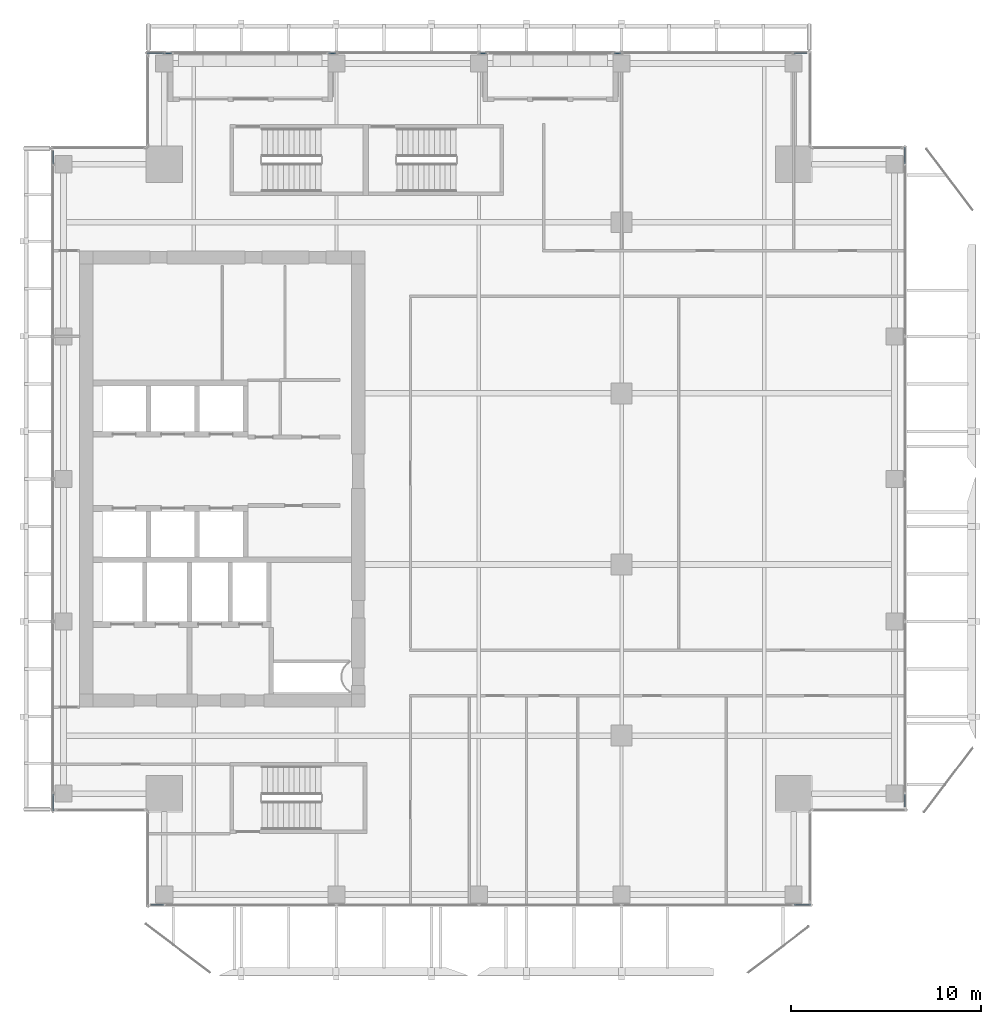
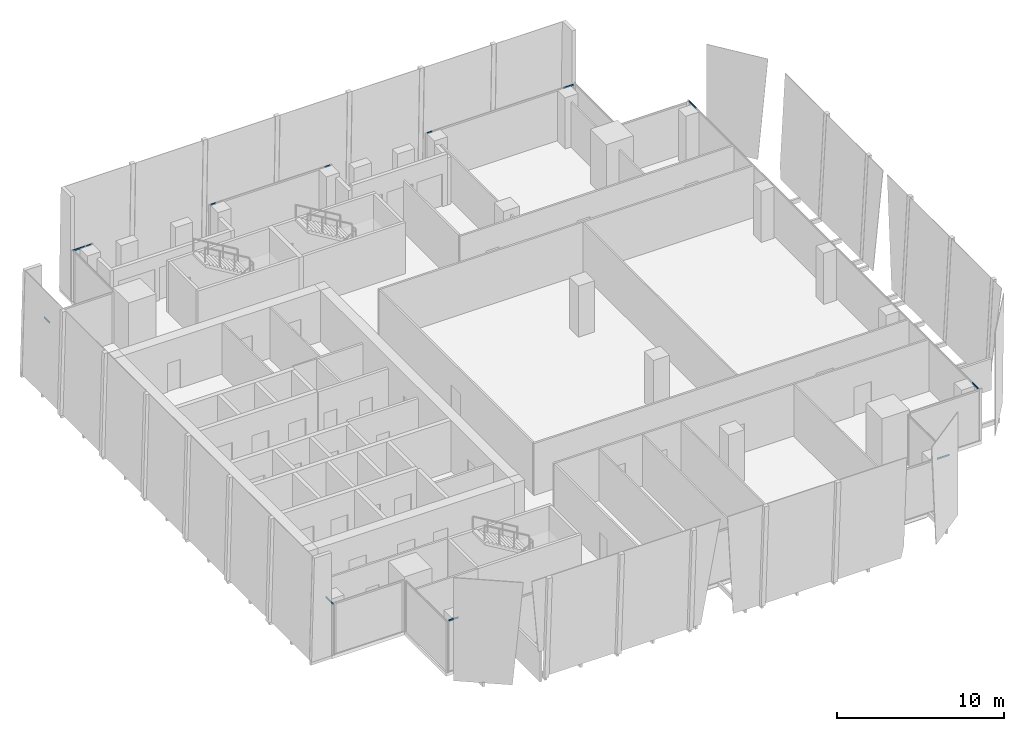
# One storey, part 22 of 35: 12 members, 6 elements without a shape of their own.
"""IFC4 building model written with IfcOpenShell, lengths in metres."""

import ifcopenshell
import ifcopenshell.guid

model = None  # the IFC model being written
_history = None  # IfcOwnerHistory: only IFC2X3 demands one
_inside = {}  # id of a spatial element -> (the spatial element, [elements in it])
_under = {}  # id of a project, library or spatial element -> (it, [spatial elements below it])
_declared = {}  # id of a project -> (the project, [libraries it declares])
_typed = {}  # id of a type object -> (the type object, [elements of that type])
_made_of = {}  # id of a material, layer set ... -> (it, [elements and type objects made of it])


def new_model(schema):
    """Start an empty IFC model of exactly this schema.

    Asked for "IFC4X3", IfcOpenShell would pick the latest addendum, in which some entities
    have other attributes; the version numbers below select the first issue.
    IFC2X3 requires an IfcOwnerHistory on every rooted entity: one is made here for all.
    """
    global model, _history
    if schema == "IFC4X3":
        model = ifcopenshell.file(schema_version=(4, 3, 0, 0))
    else:
        model = ifcopenshell.file(schema=schema)
    _inside.clear()
    _under.clear()
    _declared.clear()
    _typed.clear()
    _made_of.clear()
    _history = None
    if model.schema == "IFC2X3":
        org = make("IfcOrganization", Name="unknown")
        user = make(
            "IfcPersonAndOrganization",
            ThePerson=make("IfcPerson", FamilyName="unknown"),
            TheOrganization=org,
        )
        app = make(
            "IfcApplication",
            ApplicationDeveloper=org,
            Version="unknown",
            ApplicationFullName="unknown",
            ApplicationIdentifier="unknown",
        )
        _history = make(
            "IfcOwnerHistory",
            OwningUser=user,
            OwningApplication=app,
            ChangeAction="ADDED",
            CreationDate=0,
        )
    return model


def make(cls, **values):
    """One entity of the class cls with the attributes given. An attribute that is None is left unset."""
    return model.create_entity(
        cls, **{name: value for name, value in values.items() if value is not None}
    )


def rooted(cls, **values):
    """An entity with a GlobalId (a new one), such as an element, a storey or a relation."""
    return make(cls, GlobalId=ifcopenshell.guid.new(), OwnerHistory=_history, **values)


def si_unit(unit_type, name, prefix=None):
    """IfcSIUnit, for example si_unit("LENGTHUNIT", "METRE", prefix="MILLI")."""
    return make("IfcSIUnit", UnitType=unit_type, Prefix=prefix, Name=name)


def assignment(units):
    """IfcUnitAssignment: the units of a project."""
    return None if units is None else make("IfcUnitAssignment", Units=units)


def point(xyz):
    """IfcCartesianPoint."""
    return None if xyz is None else make("IfcCartesianPoint", Coordinates=xyz)


def direction(xyz):
    """IfcDirection."""
    return None if xyz is None else make("IfcDirection", DirectionRatios=xyz)


def frame(location, z_axis=None, x_axis=None):
    """IfcAxis2Placement3D, a coordinate frame: its origin and axes. An axis left out is left unset."""
    return make(
        "IfcAxis2Placement3D",
        Location=point(location),
        Axis=direction(z_axis),
        RefDirection=direction(x_axis),
    )


def frame_2d(location, x_axis=None):
    """IfcAxis2Placement2D, a coordinate frame in the plane: its origin and x axis."""
    return make(
        "IfcAxis2Placement2D", Location=point(location), RefDirection=direction(x_axis)
    )


def origin():
    """The frame at (0, 0, 0) with its axes left unset."""
    return frame((0.0, 0.0, 0.0))


def origin_2d():
    """The frame at (0, 0) in the plane with its x axis left unset."""
    return frame_2d((0.0, 0.0))


def place(relative_to, where):
    """IfcLocalPlacement: puts the frame where relative to a parent placement (None: the world)."""
    return make(
        "IfcLocalPlacement", PlacementRelTo=relative_to, RelativePlacement=where
    )


def context(
    kind, dimensions, precision=None, world=None, true_north=None, identifier=None
):
    """IfcGeometricRepresentationContext, for example the 3D "Model" context."""
    return make(
        "IfcGeometricRepresentationContext",
        ContextIdentifier=identifier,
        ContextType=kind,
        CoordinateSpaceDimension=dimensions,
        Precision=precision,
        WorldCoordinateSystem=world,
        TrueNorth=true_north,
    )


def subcontext(parent, identifier, kind, view, scale=None):
    """IfcGeometricRepresentationSubContext, for example "Body" below "Model"."""
    return make(
        "IfcGeometricRepresentationSubContext",
        ContextIdentifier=identifier,
        ContextType=kind,
        ParentContext=parent,
        TargetScale=scale,
        TargetView=view,
    )


def project(units=None, contexts=None):
    """IfcProject with its units and contexts."""
    return rooted(
        "IfcProject",
        Name="project",
        RepresentationContexts=contexts,
        UnitsInContext=assignment(units),
    )


def spatial(cls, under=None, at=None, **own):
    """A site, building, storey or space (cls), placed at a placement, below another one or the project."""
    s = rooted(cls, ObjectPlacement=at, **own)
    if under is not None:
        _under.setdefault(under.id(), (under, []))[1].append(s)
    return s


def profile(cls, at=None, kind="AREA", **sizes):
    """A parametric profile (cls). Its sizes go by their IFC names, for example OverallWidth=200.0."""
    return make(cls, ProfileType=kind, Position=at, **sizes)


def hollow_rectangle(**sizes):
    """IfcRectangleHollowProfileDef."""
    return profile("IfcRectangleHollowProfileDef", **sizes)


def extrude(swept, where, along, depth):
    """IfcExtrudedAreaSolid: the profile swept, set in the frame where, extruded along a direction by depth."""
    return make(
        "IfcExtrudedAreaSolid",
        SweptArea=swept,
        Position=where,
        ExtrudedDirection=direction(along),
        Depth=depth,
    )


def shape(context_of_items, identifier, shape_type, items):
    """IfcShapeRepresentation: the items that make up one representation, for example the "Body"."""
    return make(
        "IfcShapeRepresentation",
        ContextOfItems=context_of_items,
        RepresentationIdentifier=identifier,
        RepresentationType=shape_type,
        Items=items,
    )


def source(mapping_origin, context_of_items, identifier, shape_type, items):
    """IfcRepresentationMap: a shape defined once, which mapped items show again and again."""
    return make(
        "IfcRepresentationMap",
        MappingOrigin=mapping_origin,
        MappedRepresentation=shape(context_of_items, identifier, shape_type, items),
    )


def transform(
    local_origin,
    x_axis=None,
    y_axis=None,
    z_axis=None,
    scale=None,
    scale2=None,
    scale3=None,
    uniform=True,
):
    """IfcCartesianTransformationOperator3D, or its non-uniform kind. x_axis, y_axis, z_axis: its Axis1, 2, 3."""
    if uniform:
        return make(
            "IfcCartesianTransformationOperator3D",
            Axis1=direction(x_axis),
            Axis2=direction(y_axis),
            LocalOrigin=point(local_origin),
            Scale=scale,
            Axis3=direction(z_axis),
        )
    return make(
        "IfcCartesianTransformationOperator3DnonUniform",
        Axis1=direction(x_axis),
        Axis2=direction(y_axis),
        LocalOrigin=point(local_origin),
        Scale=scale,
        Axis3=direction(z_axis),
        Scale2=scale2,
        Scale3=scale3,
    )


def mapped(mapping_source, mapping_target):
    """IfcMappedItem: shows the shape of a source again, moved by a transform."""
    return make(
        "IfcMappedItem", MappingSource=mapping_source, MappingTarget=mapping_target
    )


def material(Name=None, Category=None):
    """IfcMaterial."""
    return make("IfcMaterial", Name=Name, Category=Category)


def material_profile(
    of_material, cross_section, Name=None, Category=None, Priority=None
):
    """IfcMaterialProfile: a cross section and its material."""
    return make(
        "IfcMaterialProfile",
        Name=Name,
        Material=of_material,
        Profile=cross_section,
        Priority=Priority,
        Category=Category,
    )


def profile_set(profiles, Name=None, composite=None):
    """IfcMaterialProfileSet."""
    return make(
        "IfcMaterialProfileSet",
        Name=Name,
        MaterialProfiles=profiles,
        CompositeProfile=composite,
    )


def made_of(thing, what):
    """Note that an element or type object is made of a material, layer set ...; save() writes the relation."""
    if what is not None:
        _made_of.setdefault(what.id(), (what, []))[1].append(thing)
    return thing


def type_object(cls, material=None, **own):
    """A type object (cls), such as IfcWallType, which elements share."""
    return made_of(rooted(cls, **own), material)


def element(
    cls,
    number,
    at=None,
    inside=None,
    cuts=None,
    type_object=None,
    material=None,
    context=None,
    identifier="Body",
    shape_type=None,
    held_by="IfcProductDefinitionShape",
    body=None,
    shapes=None,
    **own,
):
    """One element of the class cls, such as IfcWall. Its Tag is "e" and its number.

    at: its placement. inside: the storey or other place that contains it. cuts: it is an
    opening in that element (IfcRelVoidsElement). A single representation is given by context,
    identifier, shape_type and body (its items); several are given by shapes. held_by: the class
    of the entity that holds the representations. save() writes the other relations.
    """
    e = rooted(cls, Tag="e%d" % number, ObjectPlacement=at, **own)
    if body is not None:
        shapes = [shape(context, identifier, shape_type, body)]
    if shapes is not None:
        e.Representation = make(held_by, Representations=shapes)
    if inside is not None:
        _inside.setdefault(inside.id(), (inside, []))[1].append(e)
    if cuts is not None:
        rooted(
            "IfcRelVoidsElement", RelatingBuildingElement=cuts, RelatedOpeningElement=e
        )
    if type_object is not None:
        _typed.setdefault(type_object.id(), (type_object, []))[1].append(e)
    return made_of(e, material)


def aggregate(whole, parts):
    """IfcRelAggregates: a whole, such as a stair, and the parts it consists of."""
    return rooted("IfcRelAggregates", RelatingObject=whole, RelatedObjects=parts)


def save(model, path):
    """Write the relations noted so far, then the file.

    IfcRelAggregates (storeys below a building ...), IfcRelContainedInSpatialStructure (elements
    in a storey), IfcRelDefinesByType, IfcRelAssociatesMaterial and IfcRelDeclares: one each for
    every whole, place, type object, material and project.
    """
    for whole, parts in _under.values():
        aggregate(whole, parts)
    for where, things in _inside.values():
        rooted(
            "IfcRelContainedInSpatialStructure",
            RelatedElements=things,
            RelatingStructure=where,
        )
    for kind, things in _typed.values():
        rooted("IfcRelDefinesByType", RelatedObjects=things, RelatingType=kind)
    for what, things in _made_of.values():
        rooted("IfcRelAssociatesMaterial", RelatedObjects=things, RelatingMaterial=what)
    for by, libraries in _declared.values():
        rooted("IfcRelDeclares", RelatingContext=by, RelatedDefinitions=libraries)
    model.write(path)


model = new_model("IFC4")

# Units and contexts
model_context = context("Model", 3, precision=1e-05, world=origin(), true_north=direction((0.0, 1.0)))
body_context = subcontext(model_context, "Body", "Model", "MODEL_VIEW")
ifc_project = project(units=[si_unit("LENGTHUNIT", "METRE"), si_unit("AREAUNIT", "SQUARE_METRE"), si_unit("VOLUMEUNIT", "CUBIC_METRE"), si_unit("PLANEANGLEUNIT", "RADIAN"), si_unit("MASSUNIT", "GRAM", prefix="KILO")], contexts=[model_context])

# Site, building, storey
site_placement = place(None, origin())
site = spatial("IfcSite", under=ifc_project, at=site_placement, CompositionType="ELEMENT")
building_placement = place(site_placement, origin())
building = spatial("IfcBuilding", under=site, at=building_placement, Name="Khomas Fold Tower", CompositionType="ELEMENT")
storey_placement = place(building_placement, frame((0.0, 0.0, 266.199951171875)))
storey = spatial("IfcBuildingStorey", under=building, at=storey_placement, Name="L60", CompositionType="ELEMENT", Elevation=266.199951171875)

# Curtain wall, member
ifc_material_1 = material(Name="Aluminium framed double glazing", Category="aluminium")
curtain_wall_type = type_object("IfcCurtainWallType", Name="SK-Unitised clear-glass wall, office floors CW2", PredefinedType="NOTDEFINED", material=ifc_material_1)
curtain_wall_1_placement = place(storey_placement, origin())
curtain_wall_1 = element("IfcCurtainWall", 1, at=curtain_wall_1_placement, inside=storey, type_object=curtain_wall_type, Name="CW2 run L60 00-0", PredefinedType="NOTDEFINED")
ifc_material_2 = material(Name="Aluminium", Category="aluminium")
ifc_material_profile = material_profile(ifc_material_2, hollow_rectangle(XDim=0.050048828125, YDim=0.110107421875, WallThickness=0.00390625, at=origin_2d()), Name="SK-Unitised clear-glass wall, office floors transom CW2-T")
ifc_profile_set = profile_set([ifc_material_profile], Name="Aluminium")
member_type = type_object("IfcMemberType", Name="SK-Unitised clear-glass wall, office floors transom CW2-T", PredefinedType="USERDEFINED", material=ifc_profile_set)
shared_shape_1 = source(origin(), body_context, "Body", "SweptSolid", [
    extrude(hollow_rectangle(XDim=0.050048828125, YDim=0.110107421875, WallThickness=0.00390625, at=origin_2d()), origin(), (0.0, 0.0, 1.0), 0.659912109375),
])
member_1_placement = place(storey_placement, frame((9.760009765625, 4.60009765625, 3.695068359375), z_axis=(1.0, 0.0, 0.0), x_axis=(0.0, 1.0, 0.0)))
member_1 = element("IfcMember", 2, at=member_1_placement, type_object=member_type, Name="CW2 transom 1", ObjectType="TRANSOM", PredefinedType="USERDEFINED", context=body_context, shape_type="MappedRepresentation", body=[
    mapped(shared_shape_1, transform((0.0, 0.0, 0.0))),
])

curtain_wall_2_placement = place(storey_placement, origin())
curtain_wall_2 = element("IfcCurtainWall", 3, at=curtain_wall_2_placement, inside=storey, type_object=curtain_wall_type, Name="CW2 run L60 03-0", PredefinedType="NOTDEFINED")
member_2_placement = place(storey_placement, frame((49.39990234375, 9.760009765625, 3.695068359375), z_axis=(0.0, 1.0, 0.0), x_axis=(-1.0, 0.0, 0.0)))
member_2 = element("IfcMember", 4, at=member_2_placement, type_object=member_type, Name="CW2 transom 1", ObjectType="TRANSOM", PredefinedType="USERDEFINED", context=body_context, shape_type="MappedRepresentation", body=[
    mapped(shared_shape_1, transform((0.0, 0.0, 0.0))),
])

curtain_wall_3_placement = place(storey_placement, origin())
curtain_wall_3 = element("IfcCurtainWall", 5, at=curtain_wall_3_placement, inside=storey, type_object=curtain_wall_type, Name="CW2 run L60 06-0", PredefinedType="NOTDEFINED")
member_3_placement = place(storey_placement, frame((44.239990234375, 49.39990234375, 3.695068359375), z_axis=(-1.0, 0.0, 0.0), x_axis=(0.0, -1.0, 0.0)))
member_3 = element("IfcMember", 6, at=member_3_placement, type_object=member_type, Name="CW2 transom 1", ObjectType="TRANSOM", PredefinedType="USERDEFINED", context=body_context, shape_type="MappedRepresentation", body=[
    mapped(shared_shape_1, transform((0.0, 0.0, 0.0))),
])

curtain_wall_4_placement = place(storey_placement, origin())
curtain_wall_4 = element("IfcCurtainWall", 7, at=curtain_wall_4_placement, inside=storey, type_object=curtain_wall_type, Name="CW2 run L60 09-0", PredefinedType="NOTDEFINED")
member_4_placement = place(storey_placement, frame((4.60009765625, 44.239990234375, 3.695068359375), z_axis=(0.0, -1.0, 0.0), x_axis=(1.0, 0.0, 0.0)))
member_4 = element("IfcMember", 8, at=member_4_placement, type_object=member_type, Name="CW2 transom 1", ObjectType="TRANSOM", PredefinedType="USERDEFINED", context=body_context, shape_type="MappedRepresentation", body=[
    mapped(shared_shape_1, transform((0.0, 0.0, 0.0))),
])

# Member
shared_shape_2 = source(origin(), body_context, "Body", "SweptSolid", [
    extrude(hollow_rectangle(XDim=0.050048828125, YDim=0.110107421875, WallThickness=0.00390625, at=origin_2d()), origin(), (0.0, 0.0, 1.0), 0.85986328125),
])
member_5_placement = place(storey_placement, frame((43.580078125, 4.60009765625, 3.695068359375), z_axis=(1.0, 0.0, 0.0), x_axis=(0.0, 1.0, 0.0)))
member_5 = element("IfcMember", 9, at=member_5_placement, type_object=member_type, Name="CW2 transom 6", ObjectType="TRANSOM", PredefinedType="USERDEFINED", context=body_context, shape_type="MappedRepresentation", body=[
    mapped(shared_shape_2, transform((0.0, 0.0, 0.0))),
])

aggregate(curtain_wall_1, [member_1, member_5])

member_6_placement = place(storey_placement, frame((49.39990234375, 43.580078125, 3.695068359375), z_axis=(0.0, 1.0, 0.0), x_axis=(-1.0, 0.0, 0.0)))
member_6 = element("IfcMember", 10, at=member_6_placement, type_object=member_type, Name="CW2 transom 6", ObjectType="TRANSOM", PredefinedType="USERDEFINED", context=body_context, shape_type="MappedRepresentation", body=[
    mapped(shared_shape_2, transform((0.0, 0.0, 0.0))),
])

aggregate(curtain_wall_2, [member_2, member_6])

# Curtain wall, member
curtain_wall_5_placement = place(storey_placement, origin())
curtain_wall_5 = element("IfcCurtainWall", 11, at=curtain_wall_5_placement, inside=storey, type_object=curtain_wall_type, Name="CW2 run L60 06-2", PredefinedType="NOTDEFINED")
member_7_placement = place(storey_placement, frame((10.419921875, 49.39990234375, 3.695068359375), z_axis=(-1.0, 0.0, 0.0), x_axis=(0.0, -1.0, 0.0)))
member_7 = element("IfcMember", 12, at=member_7_placement, type_object=member_type, Name="CW2 transom 2", ObjectType="TRANSOM", PredefinedType="USERDEFINED", context=body_context, shape_type="MappedRepresentation", body=[
    mapped(shared_shape_2, transform((0.0, 0.0, 0.0))),
])

# Member
member_8_placement = place(storey_placement, frame((4.60009765625, 10.419921875, 3.695068359375), z_axis=(0.0, -1.0, 0.0), x_axis=(1.0, 0.0, 0.0)))
member_8 = element("IfcMember", 13, at=member_8_placement, type_object=member_type, Name="CW2 transom 6", ObjectType="TRANSOM", PredefinedType="USERDEFINED", context=body_context, shape_type="MappedRepresentation", body=[
    mapped(shared_shape_2, transform((0.0, 0.0, 0.0))),
])

aggregate(curtain_wall_4, [member_4, member_8])

shared_shape_3 = source(origin(), body_context, "Body", "SweptSolid", [
    extrude(hollow_rectangle(XDim=0.050048828125, YDim=0.110107421875, WallThickness=0.00390625, at=origin_2d()), origin(), (0.0, 0.0, 1.0), 0.35986328125),
])
member_9_placement = place(storey_placement, frame((34.469970703125, 49.39990234375, 3.695068359375), z_axis=(-1.0, 0.0, 0.0), x_axis=(0.0, -1.0, 0.0)))
member_9 = element("IfcMember", 14, at=member_9_placement, type_object=member_type, Name="CW2 transom 3", ObjectType="TRANSOM", PredefinedType="USERDEFINED", context=body_context, shape_type="MappedRepresentation", body=[
    mapped(shared_shape_3, transform((0.0, 0.0, 0.0))),
])

aggregate(curtain_wall_3, [member_3, member_9])

# Curtain wall, members
curtain_wall_6_placement = place(storey_placement, origin())
curtain_wall_6 = element("IfcCurtainWall", 15, at=curtain_wall_6_placement, inside=storey, type_object=curtain_wall_type, Name="CW2 run L60 06-1", PredefinedType="NOTDEFINED")
member_10_placement = place(storey_placement, frame((27.389892578125, 49.39990234375, 3.695068359375), z_axis=(-1.0, 0.0, 0.0), x_axis=(0.0, -1.0, 0.0)))
member_10 = element("IfcMember", 16, at=member_10_placement, type_object=member_type, Name="CW2 transom 1", ObjectType="TRANSOM", PredefinedType="USERDEFINED", context=body_context, shape_type="MappedRepresentation", body=[
    mapped(shared_shape_3, transform((0.0, 0.0, 0.0))),
])
member_11_placement = place(storey_placement, frame((19.469970703125, 49.39990234375, 3.695068359375), z_axis=(-1.0, 0.0, 0.0), x_axis=(0.0, -1.0, 0.0)))
member_11 = element("IfcMember", 17, at=member_11_placement, type_object=member_type, Name="CW2 transom 3", ObjectType="TRANSOM", PredefinedType="USERDEFINED", context=body_context, shape_type="MappedRepresentation", body=[
    mapped(shared_shape_3, transform((0.0, 0.0, 0.0))),
])
aggregate(curtain_wall_6, [member_10, member_11])

# Member
shared_shape_4 = source(origin(), body_context, "Body", "SweptSolid", [
    extrude(hollow_rectangle(XDim=0.050048828125, YDim=0.110107421875, WallThickness=0.00390625, at=origin_2d()), origin(), (0.0, 0.0, 1.0), 0.360107421875),
])
member_12_placement = place(storey_placement, frame((10.840087890625, 49.39990234375, 3.695068359375), z_axis=(-1.0, 0.0, 0.0), x_axis=(0.0, -1.0, 0.0)))
member_12 = element("IfcMember", 18, at=member_12_placement, type_object=member_type, Name="CW2 transom 1", ObjectType="TRANSOM", PredefinedType="USERDEFINED", context=body_context, shape_type="MappedRepresentation", body=[
    mapped(shared_shape_4, transform((0.0, 0.0, 0.0))),
])

aggregate(curtain_wall_5, [member_12, member_7])

save(model, "model.ifc")
